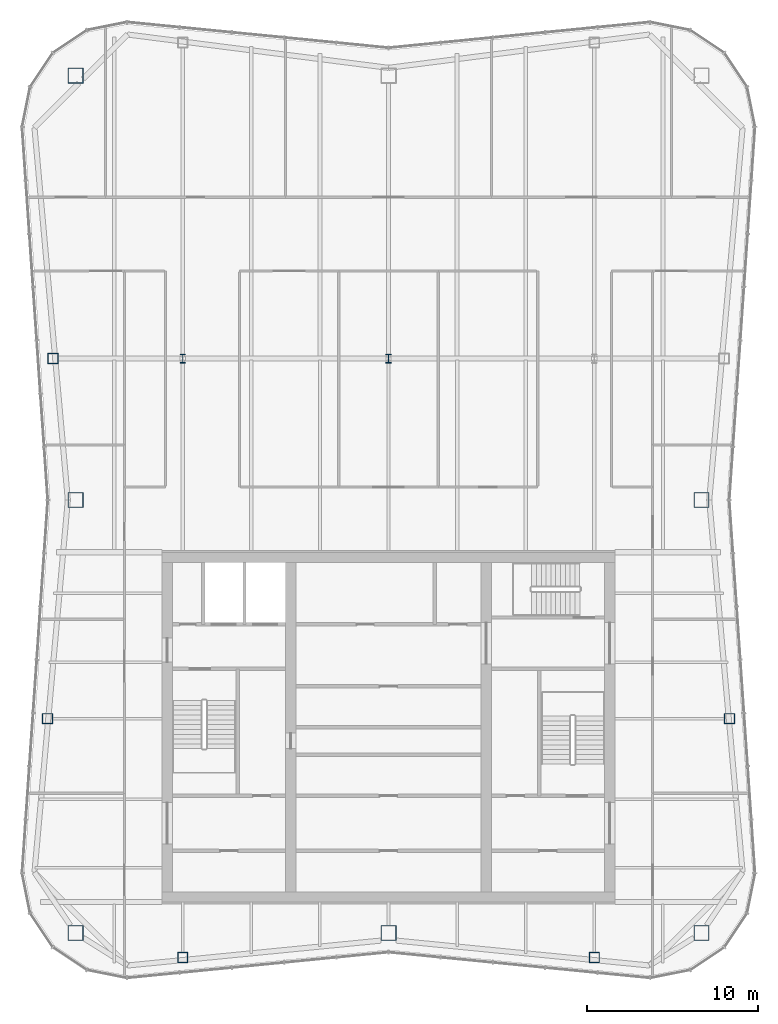
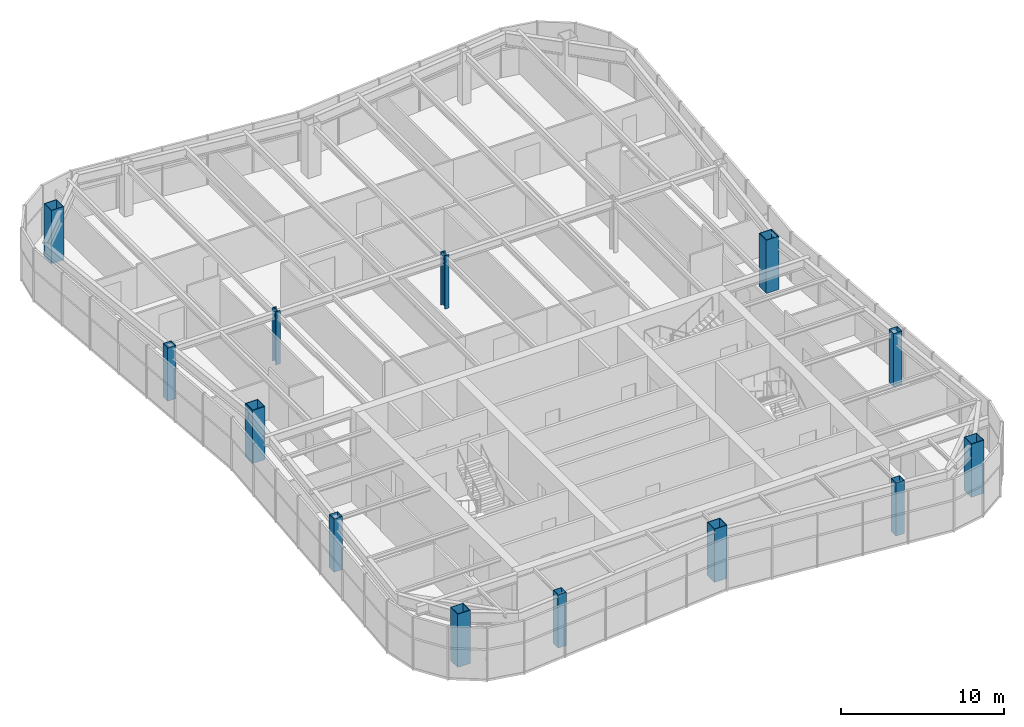
# One storey, part 1 of 13: 13 columns.
"""IFC4 building model written with IfcOpenShell, lengths in metres."""

import ifcopenshell
import ifcopenshell.guid

model = None  # the IFC model being written
_history = None  # IfcOwnerHistory: only IFC2X3 demands one
_inside = {}  # id of a spatial element -> (the spatial element, [elements in it])
_under = {}  # id of a project, library or spatial element -> (it, [spatial elements below it])
_declared = {}  # id of a project -> (the project, [libraries it declares])
_typed = {}  # id of a type object -> (the type object, [elements of that type])
_made_of = {}  # id of a material, layer set ... -> (it, [elements and type objects made of it])


def new_model(schema):
    """Start an empty IFC model of exactly this schema.

    Asked for "IFC4X3", IfcOpenShell would pick the latest addendum, in which some entities
    have other attributes; the version numbers below select the first issue.
    IFC2X3 requires an IfcOwnerHistory on every rooted entity: one is made here for all.
    """
    global model, _history
    if schema == "IFC4X3":
        model = ifcopenshell.file(schema_version=(4, 3, 0, 0))
    else:
        model = ifcopenshell.file(schema=schema)
    _inside.clear()
    _under.clear()
    _declared.clear()
    _typed.clear()
    _made_of.clear()
    _history = None
    if model.schema == "IFC2X3":
        org = make("IfcOrganization", Name="unknown")
        user = make(
            "IfcPersonAndOrganization",
            ThePerson=make("IfcPerson", FamilyName="unknown"),
            TheOrganization=org,
        )
        app = make(
            "IfcApplication",
            ApplicationDeveloper=org,
            Version="unknown",
            ApplicationFullName="unknown",
            ApplicationIdentifier="unknown",
        )
        _history = make(
            "IfcOwnerHistory",
            OwningUser=user,
            OwningApplication=app,
            ChangeAction="ADDED",
            CreationDate=0,
        )
    return model


def make(cls, **values):
    """One entity of the class cls with the attributes given. An attribute that is None is left unset."""
    return model.create_entity(
        cls, **{name: value for name, value in values.items() if value is not None}
    )


def rooted(cls, **values):
    """An entity with a GlobalId (a new one), such as an element, a storey or a relation."""
    return make(cls, GlobalId=ifcopenshell.guid.new(), OwnerHistory=_history, **values)


def si_unit(unit_type, name, prefix=None):
    """IfcSIUnit, for example si_unit("LENGTHUNIT", "METRE", prefix="MILLI")."""
    return make("IfcSIUnit", UnitType=unit_type, Prefix=prefix, Name=name)


def assignment(units):
    """IfcUnitAssignment: the units of a project."""
    return None if units is None else make("IfcUnitAssignment", Units=units)


def point(xyz):
    """IfcCartesianPoint."""
    return None if xyz is None else make("IfcCartesianPoint", Coordinates=xyz)


def direction(xyz):
    """IfcDirection."""
    return None if xyz is None else make("IfcDirection", DirectionRatios=xyz)


def frame(location, z_axis=None, x_axis=None):
    """IfcAxis2Placement3D, a coordinate frame: its origin and axes. An axis left out is left unset."""
    return make(
        "IfcAxis2Placement3D",
        Location=point(location),
        Axis=direction(z_axis),
        RefDirection=direction(x_axis),
    )


def frame_2d(location, x_axis=None):
    """IfcAxis2Placement2D, a coordinate frame in the plane: its origin and x axis."""
    return make(
        "IfcAxis2Placement2D", Location=point(location), RefDirection=direction(x_axis)
    )


def origin():
    """The frame at (0, 0, 0) with its axes left unset."""
    return frame((0.0, 0.0, 0.0))


def origin_2d():
    """The frame at (0, 0) in the plane with its x axis left unset."""
    return frame_2d((0.0, 0.0))


def place(relative_to, where):
    """IfcLocalPlacement: puts the frame where relative to a parent placement (None: the world)."""
    return make(
        "IfcLocalPlacement", PlacementRelTo=relative_to, RelativePlacement=where
    )


def context(
    kind, dimensions, precision=None, world=None, true_north=None, identifier=None
):
    """IfcGeometricRepresentationContext, for example the 3D "Model" context."""
    return make(
        "IfcGeometricRepresentationContext",
        ContextIdentifier=identifier,
        ContextType=kind,
        CoordinateSpaceDimension=dimensions,
        Precision=precision,
        WorldCoordinateSystem=world,
        TrueNorth=true_north,
    )


def subcontext(parent, identifier, kind, view, scale=None):
    """IfcGeometricRepresentationSubContext, for example "Body" below "Model"."""
    return make(
        "IfcGeometricRepresentationSubContext",
        ContextIdentifier=identifier,
        ContextType=kind,
        ParentContext=parent,
        TargetScale=scale,
        TargetView=view,
    )


def project(units=None, contexts=None):
    """IfcProject with its units and contexts."""
    return rooted(
        "IfcProject",
        Name="project",
        RepresentationContexts=contexts,
        UnitsInContext=assignment(units),
    )


def spatial(cls, under=None, at=None, **own):
    """A site, building, storey or space (cls), placed at a placement, below another one or the project."""
    s = rooted(cls, ObjectPlacement=at, **own)
    if under is not None:
        _under.setdefault(under.id(), (under, []))[1].append(s)
    return s


def profile(cls, at=None, kind="AREA", **sizes):
    """A parametric profile (cls). Its sizes go by their IFC names, for example OverallWidth=200.0."""
    return make(cls, ProfileType=kind, Position=at, **sizes)


def hollow_rectangle(**sizes):
    """IfcRectangleHollowProfileDef."""
    return profile("IfcRectangleHollowProfileDef", **sizes)


def i_section(**sizes):
    """IfcIShapeProfileDef."""
    return profile("IfcIShapeProfileDef", **sizes)


def extrude(swept, where, along, depth):
    """IfcExtrudedAreaSolid: the profile swept, set in the frame where, extruded along a direction by depth."""
    return make(
        "IfcExtrudedAreaSolid",
        SweptArea=swept,
        Position=where,
        ExtrudedDirection=direction(along),
        Depth=depth,
    )


def shape(context_of_items, identifier, shape_type, items):
    """IfcShapeRepresentation: the items that make up one representation, for example the "Body"."""
    return make(
        "IfcShapeRepresentation",
        ContextOfItems=context_of_items,
        RepresentationIdentifier=identifier,
        RepresentationType=shape_type,
        Items=items,
    )


def material(Name=None, Category=None):
    """IfcMaterial."""
    return make("IfcMaterial", Name=Name, Category=Category)


def material_profile(
    of_material, cross_section, Name=None, Category=None, Priority=None
):
    """IfcMaterialProfile: a cross section and its material."""
    return make(
        "IfcMaterialProfile",
        Name=Name,
        Material=of_material,
        Profile=cross_section,
        Priority=Priority,
        Category=Category,
    )


def profile_set(profiles, Name=None, composite=None):
    """IfcMaterialProfileSet."""
    return make(
        "IfcMaterialProfileSet",
        Name=Name,
        MaterialProfiles=profiles,
        CompositeProfile=composite,
    )


def made_of(thing, what):
    """Note that an element or type object is made of a material, layer set ...; save() writes the relation."""
    if what is not None:
        _made_of.setdefault(what.id(), (what, []))[1].append(thing)
    return thing


def type_object(cls, material=None, **own):
    """A type object (cls), such as IfcWallType, which elements share."""
    return made_of(rooted(cls, **own), material)


def element(
    cls,
    number,
    at=None,
    inside=None,
    cuts=None,
    type_object=None,
    material=None,
    context=None,
    identifier="Body",
    shape_type=None,
    held_by="IfcProductDefinitionShape",
    body=None,
    shapes=None,
    **own,
):
    """One element of the class cls, such as IfcWall. Its Tag is "e" and its number.

    at: its placement. inside: the storey or other place that contains it. cuts: it is an
    opening in that element (IfcRelVoidsElement). A single representation is given by context,
    identifier, shape_type and body (its items); several are given by shapes. held_by: the class
    of the entity that holds the representations. save() writes the other relations.
    """
    e = rooted(cls, Tag="e%d" % number, ObjectPlacement=at, **own)
    if body is not None:
        shapes = [shape(context, identifier, shape_type, body)]
    if shapes is not None:
        e.Representation = make(held_by, Representations=shapes)
    if inside is not None:
        _inside.setdefault(inside.id(), (inside, []))[1].append(e)
    if cuts is not None:
        rooted(
            "IfcRelVoidsElement", RelatingBuildingElement=cuts, RelatedOpeningElement=e
        )
    if type_object is not None:
        _typed.setdefault(type_object.id(), (type_object, []))[1].append(e)
    return made_of(e, material)


def aggregate(whole, parts):
    """IfcRelAggregates: a whole, such as a stair, and the parts it consists of."""
    return rooted("IfcRelAggregates", RelatingObject=whole, RelatedObjects=parts)


def save(model, path):
    """Write the relations noted so far, then the file.

    IfcRelAggregates (storeys below a building ...), IfcRelContainedInSpatialStructure (elements
    in a storey), IfcRelDefinesByType, IfcRelAssociatesMaterial and IfcRelDeclares: one each for
    every whole, place, type object, material and project.
    """
    for whole, parts in _under.values():
        aggregate(whole, parts)
    for where, things in _inside.values():
        rooted(
            "IfcRelContainedInSpatialStructure",
            RelatedElements=things,
            RelatingStructure=where,
        )
    for kind, things in _typed.values():
        rooted("IfcRelDefinesByType", RelatedObjects=things, RelatingType=kind)
    for what, things in _made_of.values():
        rooted("IfcRelAssociatesMaterial", RelatedObjects=things, RelatingMaterial=what)
    for by, libraries in _declared.values():
        rooted("IfcRelDeclares", RelatingContext=by, RelatedDefinitions=libraries)
    model.write(path)


model = new_model("IFC4")

# Units and contexts
model_context = context("Model", 3, precision=1e-05, world=origin(), true_north=direction((0.0, 1.0)))
body_context = subcontext(model_context, "Body", "Model", "MODEL_VIEW")
ifc_project = project(units=[si_unit("LENGTHUNIT", "METRE"), si_unit("AREAUNIT", "SQUARE_METRE"), si_unit("VOLUMEUNIT", "CUBIC_METRE"), si_unit("PLANEANGLEUNIT", "RADIAN"), si_unit("MASSUNIT", "GRAM", prefix="KILO")], contexts=[model_context])

# Site, building, storey
site_placement = place(None, origin())
site = spatial("IfcSite", under=ifc_project, at=site_placement, CompositionType="ELEMENT")
building_placement = place(site_placement, origin())
building = spatial("IfcBuilding", under=site, at=building_placement, Name="Verdant Reach Tower", CompositionType="ELEMENT")
storey_placement = place(building_placement, frame((0.0, 0.0, 364.0)))
storey = spatial("IfcBuildingStorey", under=building, at=storey_placement, Name="L82 Plant", CompositionType="ELEMENT", Elevation=364.0)

# Columns
ifc_material = material(Name="Steel S460", Category="steel")
ifc_material_profile_1 = material_profile(ifc_material, i_section(OverallWidth=0.305908203125, OverallDepth=0.52392578125, WebThickness=0.012451171875, FlangeThickness=0.0400390625, FilletRadius=0.027099609375, at=origin_2d()), Name="HEM 500")
ifc_profile_set_1 = profile_set([ifc_material_profile_1], Name="Steel S460")
column_type_1 = type_object("IfcColumnType", Name="ST-COL-HEM500", PredefinedType="COLUMN", material=ifc_profile_set_1)
for number, where, z_axis, x_axis, name in (
    (1, (-12.0, 49.5, 0.0), (0.0, 0.0, 1.0), (1.0, 0.0, 0.0), "Interior column 1, L82 Plant"),
    (2, (0.0, 49.5, 0.0), (0.0, 0.0, 1.0), (1.0, 0.0, 0.0), "Interior column 2, L82 Plant"),
):
    element("IfcColumn", number, at=place(storey_placement, frame(where, z_axis=z_axis, x_axis=x_axis)), inside=storey, type_object=column_type_1, Name=name, PredefinedType="COLUMN", context=body_context, shape_type="SweptSolid", body=[
        extrude(i_section(OverallWidth=0.305908203125, OverallDepth=0.52392578125, WebThickness=0.012451171875, FlangeThickness=0.0400390625, FilletRadius=0.027099609375, at=origin_2d()), origin(), (0.0, 0.0, 1.0), 4.0),
    ])
ifc_material_profile_2 = material_profile(ifc_material, hollow_rectangle(XDim=0.60009765625, YDim=0.60009765625, WallThickness=0.02490234375, at=origin_2d()), Name="WB 600x600x25")
ifc_profile_set_2 = profile_set([ifc_material_profile_2], Name="Steel S460")
column_type_2 = type_object("IfcColumnType", Name="ST-COL-WB600x600x25", PredefinedType="COLUMN", material=ifc_profile_set_2)
for number, where, z_axis, x_axis, name in (
    (3, (-12.0, 14.569580078125, 0.0), (0.0, 0.0, 1.0), (1.0, 0.0, 0.0), "Perimeter column south 1, L82 Plant"),
    (4, (12.0, 14.569580078125, 0.0), (0.0, 0.0, 1.0), (1.0, 0.0, 0.0), "Perimeter column south 2, L82 Plant"),
    (5, (19.87939453125, 28.5, 0.0), (0.0, 0.0, 1.0), (1.0, 0.0, 0.0), "Perimeter column east 1, L82 Plant"),
    (6, (-19.87939453125, 28.5, 0.0), (0.0, 0.0, 1.0), (1.0, 0.0, 0.0), "Perimeter column west 1, L82 Plant"),
    (7, (-19.569091796875, 49.5, 0.0), (0.0, 0.0, 1.0), (1.0, 0.0, 0.0), "Perimeter column west 2, L82 Plant"),
):
    element("IfcColumn", number, at=place(storey_placement, frame(where, z_axis=z_axis, x_axis=x_axis)), inside=storey, type_object=column_type_2, Name=name, PredefinedType="COLUMN", context=body_context, shape_type="SweptSolid", body=[
        extrude(hollow_rectangle(XDim=0.60009765625, YDim=0.60009765625, WallThickness=0.02490234375, at=origin_2d()), origin(), (0.0, 0.0, 1.0), 4.0),
    ])
ifc_material_profile_3 = material_profile(ifc_material, hollow_rectangle(XDim=0.89990234375, YDim=0.89990234375, WallThickness=0.0400390625, at=origin_2d()), Name="WB 900x900x40")
ifc_profile_set_3 = profile_set([ifc_material_profile_3], Name="Steel S460")
column_type_3 = type_object("IfcColumnType", Name="ST-COL-WB900x900x40", PredefinedType="COLUMN", material=ifc_profile_set_3)
for number, where, z_axis, x_axis, name in (
    (8, (-18.25, 66.0, 0.0), (0.0, 0.0, 1.0), (1.0, 0.0, 0.0), "Mega column north-west, L82 Plant"),
    (9, (18.25, 41.25, 0.0), (0.0, 0.0, 1.0), (1.0, 0.0, 0.0), "Mega column east, L82 Plant"),
    (10, (18.25, 16.0, 0.0), (0.0, 0.0, 1.0), (1.0, 0.0, 0.0), "Mega column south-east, L82 Plant"),
    (11, (0.0, 16.0, 0.0), (0.0, 0.0, 1.0), (1.0, 0.0, 0.0), "Mega column south, L82 Plant"),
    (12, (-18.25, 16.0, 0.0), (0.0, 0.0, 1.0), (1.0, 0.0, 0.0), "Mega column south-west, L82 Plant"),
    (13, (-18.25, 41.25, 0.0), (0.0, 0.0, 1.0), (1.0, 0.0, 0.0), "Mega column west, L82 Plant"),
):
    element("IfcColumn", number, at=place(storey_placement, frame(where, z_axis=z_axis, x_axis=x_axis)), inside=storey, type_object=column_type_3, Name=name, PredefinedType="COLUMN", context=body_context, shape_type="SweptSolid", body=[
        extrude(hollow_rectangle(XDim=0.89990234375, YDim=0.89990234375, WallThickness=0.0400390625, at=origin_2d()), origin(), (0.0, 0.0, 1.0), 4.0),
    ])

save(model, "model.ifc")
